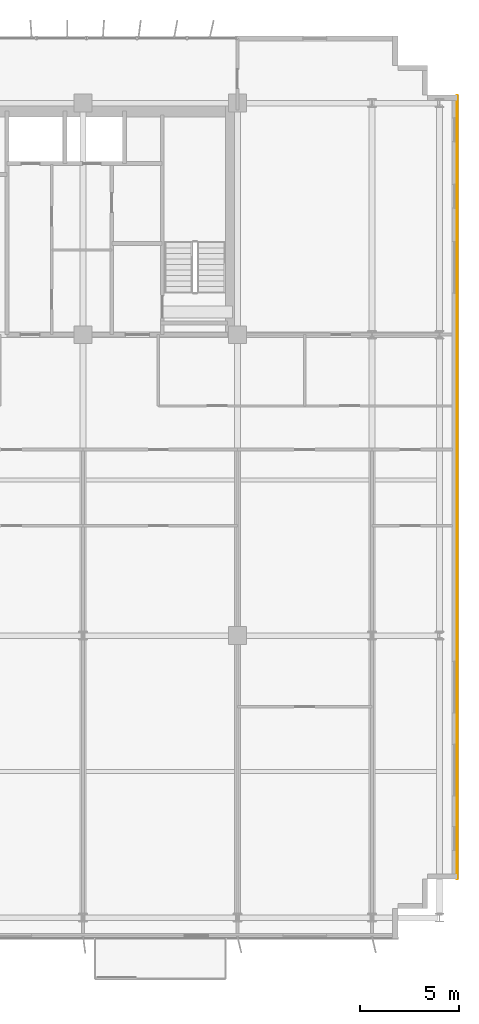
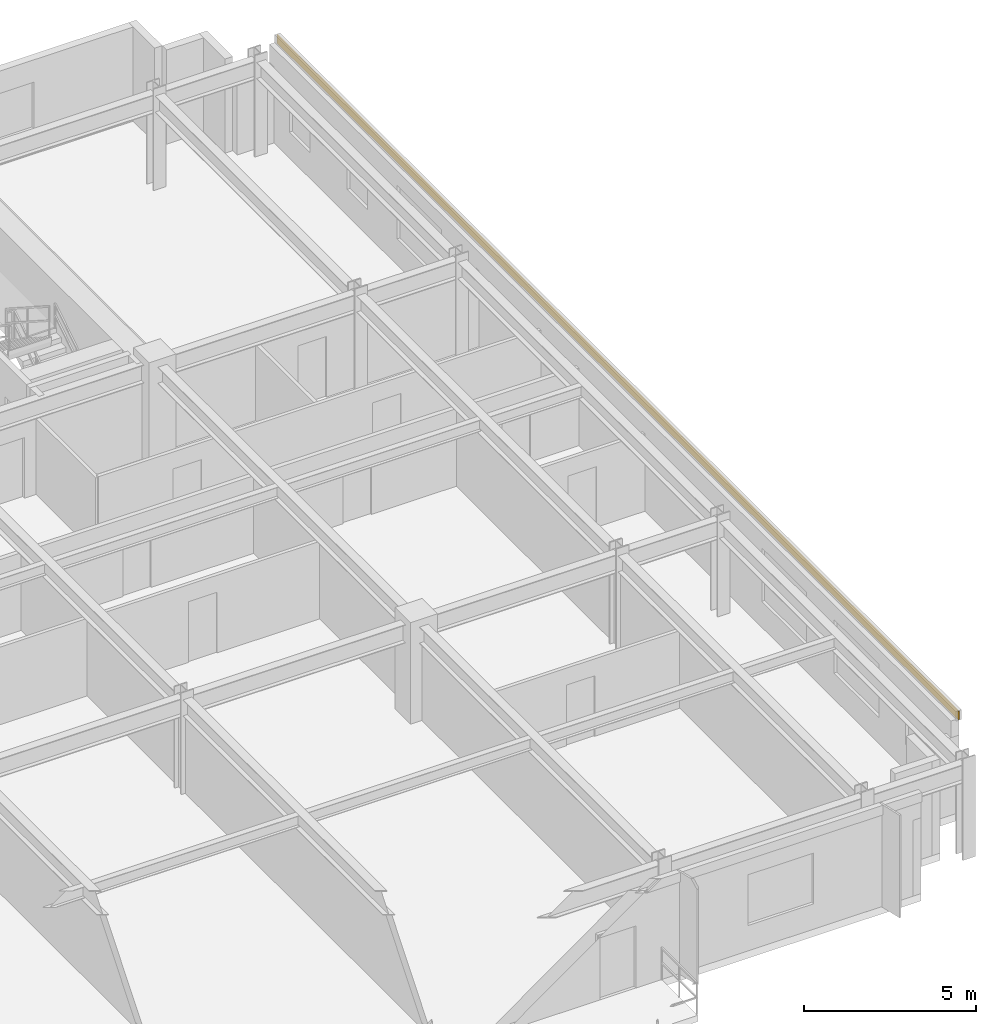
# One storey, part 21 of 21: 1 covering.
"""IFC4 building model written with IfcOpenShell, lengths in metres."""

import ifcopenshell
import ifcopenshell.guid

model = None  # the IFC model being written
_history = None  # IfcOwnerHistory: only IFC2X3 demands one
_inside = {}  # id of a spatial element -> (the spatial element, [elements in it])
_under = {}  # id of a project, library or spatial element -> (it, [spatial elements below it])
_declared = {}  # id of a project -> (the project, [libraries it declares])
_typed = {}  # id of a type object -> (the type object, [elements of that type])
_made_of = {}  # id of a material, layer set ... -> (it, [elements and type objects made of it])


def new_model(schema):
    """Start an empty IFC model of exactly this schema.

    Asked for "IFC4X3", IfcOpenShell would pick the latest addendum, in which some entities
    have other attributes; the version numbers below select the first issue.
    IFC2X3 requires an IfcOwnerHistory on every rooted entity: one is made here for all.
    """
    global model, _history
    if schema == "IFC4X3":
        model = ifcopenshell.file(schema_version=(4, 3, 0, 0))
    else:
        model = ifcopenshell.file(schema=schema)
    _inside.clear()
    _under.clear()
    _declared.clear()
    _typed.clear()
    _made_of.clear()
    _history = None
    if model.schema == "IFC2X3":
        org = make("IfcOrganization", Name="unknown")
        user = make(
            "IfcPersonAndOrganization",
            ThePerson=make("IfcPerson", FamilyName="unknown"),
            TheOrganization=org,
        )
        app = make(
            "IfcApplication",
            ApplicationDeveloper=org,
            Version="unknown",
            ApplicationFullName="unknown",
            ApplicationIdentifier="unknown",
        )
        _history = make(
            "IfcOwnerHistory",
            OwningUser=user,
            OwningApplication=app,
            ChangeAction="ADDED",
            CreationDate=0,
        )
    return model


def make(cls, **values):
    """One entity of the class cls with the attributes given. An attribute that is None is left unset."""
    return model.create_entity(
        cls, **{name: value for name, value in values.items() if value is not None}
    )


def rooted(cls, **values):
    """An entity with a GlobalId (a new one), such as an element, a storey or a relation."""
    return make(cls, GlobalId=ifcopenshell.guid.new(), OwnerHistory=_history, **values)


def si_unit(unit_type, name, prefix=None):
    """IfcSIUnit, for example si_unit("LENGTHUNIT", "METRE", prefix="MILLI")."""
    return make("IfcSIUnit", UnitType=unit_type, Prefix=prefix, Name=name)


def assignment(units):
    """IfcUnitAssignment: the units of a project."""
    return None if units is None else make("IfcUnitAssignment", Units=units)


def point(xyz):
    """IfcCartesianPoint."""
    return None if xyz is None else make("IfcCartesianPoint", Coordinates=xyz)


def direction(xyz):
    """IfcDirection."""
    return None if xyz is None else make("IfcDirection", DirectionRatios=xyz)


def frame(location, z_axis=None, x_axis=None):
    """IfcAxis2Placement3D, a coordinate frame: its origin and axes. An axis left out is left unset."""
    return make(
        "IfcAxis2Placement3D",
        Location=point(location),
        Axis=direction(z_axis),
        RefDirection=direction(x_axis),
    )


def frame_2d(location, x_axis=None):
    """IfcAxis2Placement2D, a coordinate frame in the plane: its origin and x axis."""
    return make(
        "IfcAxis2Placement2D", Location=point(location), RefDirection=direction(x_axis)
    )


def origin():
    """The frame at (0, 0, 0) with its axes left unset."""
    return frame((0.0, 0.0, 0.0))


def origin_2d():
    """The frame at (0, 0) in the plane with its x axis left unset."""
    return frame_2d((0.0, 0.0))


def place(relative_to, where):
    """IfcLocalPlacement: puts the frame where relative to a parent placement (None: the world)."""
    return make(
        "IfcLocalPlacement", PlacementRelTo=relative_to, RelativePlacement=where
    )


def context(
    kind, dimensions, precision=None, world=None, true_north=None, identifier=None
):
    """IfcGeometricRepresentationContext, for example the 3D "Model" context."""
    return make(
        "IfcGeometricRepresentationContext",
        ContextIdentifier=identifier,
        ContextType=kind,
        CoordinateSpaceDimension=dimensions,
        Precision=precision,
        WorldCoordinateSystem=world,
        TrueNorth=true_north,
    )


def subcontext(parent, identifier, kind, view, scale=None):
    """IfcGeometricRepresentationSubContext, for example "Body" below "Model"."""
    return make(
        "IfcGeometricRepresentationSubContext",
        ContextIdentifier=identifier,
        ContextType=kind,
        ParentContext=parent,
        TargetScale=scale,
        TargetView=view,
    )


def project(units=None, contexts=None):
    """IfcProject with its units and contexts."""
    return rooted(
        "IfcProject",
        Name="project",
        RepresentationContexts=contexts,
        UnitsInContext=assignment(units),
    )


def spatial(cls, under=None, at=None, **own):
    """A site, building, storey or space (cls), placed at a placement, below another one or the project."""
    s = rooted(cls, ObjectPlacement=at, **own)
    if under is not None:
        _under.setdefault(under.id(), (under, []))[1].append(s)
    return s


def profile(cls, at=None, kind="AREA", **sizes):
    """A parametric profile (cls). Its sizes go by their IFC names, for example OverallWidth=200.0."""
    return make(cls, ProfileType=kind, Position=at, **sizes)


def rectangle(**sizes):
    """IfcRectangleProfileDef."""
    return profile("IfcRectangleProfileDef", **sizes)


def extrude(swept, where, along, depth):
    """IfcExtrudedAreaSolid: the profile swept, set in the frame where, extruded along a direction by depth."""
    return make(
        "IfcExtrudedAreaSolid",
        SweptArea=swept,
        Position=where,
        ExtrudedDirection=direction(along),
        Depth=depth,
    )


def shape(context_of_items, identifier, shape_type, items):
    """IfcShapeRepresentation: the items that make up one representation, for example the "Body"."""
    return make(
        "IfcShapeRepresentation",
        ContextOfItems=context_of_items,
        RepresentationIdentifier=identifier,
        RepresentationType=shape_type,
        Items=items,
    )


def source(mapping_origin, context_of_items, identifier, shape_type, items):
    """IfcRepresentationMap: a shape defined once, which mapped items show again and again."""
    return make(
        "IfcRepresentationMap",
        MappingOrigin=mapping_origin,
        MappedRepresentation=shape(context_of_items, identifier, shape_type, items),
    )


def transform(
    local_origin,
    x_axis=None,
    y_axis=None,
    z_axis=None,
    scale=None,
    scale2=None,
    scale3=None,
    uniform=True,
):
    """IfcCartesianTransformationOperator3D, or its non-uniform kind. x_axis, y_axis, z_axis: its Axis1, 2, 3."""
    if uniform:
        return make(
            "IfcCartesianTransformationOperator3D",
            Axis1=direction(x_axis),
            Axis2=direction(y_axis),
            LocalOrigin=point(local_origin),
            Scale=scale,
            Axis3=direction(z_axis),
        )
    return make(
        "IfcCartesianTransformationOperator3DnonUniform",
        Axis1=direction(x_axis),
        Axis2=direction(y_axis),
        LocalOrigin=point(local_origin),
        Scale=scale,
        Axis3=direction(z_axis),
        Scale2=scale2,
        Scale3=scale3,
    )


def mapped(mapping_source, mapping_target):
    """IfcMappedItem: shows the shape of a source again, moved by a transform."""
    return make(
        "IfcMappedItem", MappingSource=mapping_source, MappingTarget=mapping_target
    )


def material(Name=None, Category=None):
    """IfcMaterial."""
    return make("IfcMaterial", Name=Name, Category=Category)


def layer(
    of_material, thickness, ventilated=None, Name=None, Category=None, Priority=None
):
    """IfcMaterialLayer: one layer of a wall or slab, of a material (None: an air gap)."""
    return make(
        "IfcMaterialLayer",
        Material=of_material,
        LayerThickness=thickness,
        IsVentilated=ventilated,
        Name=Name,
        Category=Category,
        Priority=Priority,
    )


def layer_set(layers, Name=None):
    """IfcMaterialLayerSet."""
    return make("IfcMaterialLayerSet", MaterialLayers=layers, LayerSetName=Name)


def made_of(thing, what):
    """Note that an element or type object is made of a material, layer set ...; save() writes the relation."""
    if what is not None:
        _made_of.setdefault(what.id(), (what, []))[1].append(thing)
    return thing


def type_object(cls, material=None, **own):
    """A type object (cls), such as IfcWallType, which elements share."""
    return made_of(rooted(cls, **own), material)


def element(
    cls,
    number,
    at=None,
    inside=None,
    cuts=None,
    type_object=None,
    material=None,
    context=None,
    identifier="Body",
    shape_type=None,
    held_by="IfcProductDefinitionShape",
    body=None,
    shapes=None,
    **own,
):
    """One element of the class cls, such as IfcWall. Its Tag is "e" and its number.

    at: its placement. inside: the storey or other place that contains it. cuts: it is an
    opening in that element (IfcRelVoidsElement). A single representation is given by context,
    identifier, shape_type and body (its items); several are given by shapes. held_by: the class
    of the entity that holds the representations. save() writes the other relations.
    """
    e = rooted(cls, Tag="e%d" % number, ObjectPlacement=at, **own)
    if body is not None:
        shapes = [shape(context, identifier, shape_type, body)]
    if shapes is not None:
        e.Representation = make(held_by, Representations=shapes)
    if inside is not None:
        _inside.setdefault(inside.id(), (inside, []))[1].append(e)
    if cuts is not None:
        rooted(
            "IfcRelVoidsElement", RelatingBuildingElement=cuts, RelatedOpeningElement=e
        )
    if type_object is not None:
        _typed.setdefault(type_object.id(), (type_object, []))[1].append(e)
    return made_of(e, material)


def aggregate(whole, parts):
    """IfcRelAggregates: a whole, such as a stair, and the parts it consists of."""
    return rooted("IfcRelAggregates", RelatingObject=whole, RelatedObjects=parts)


def save(model, path):
    """Write the relations noted so far, then the file.

    IfcRelAggregates (storeys below a building ...), IfcRelContainedInSpatialStructure (elements
    in a storey), IfcRelDefinesByType, IfcRelAssociatesMaterial and IfcRelDeclares: one each for
    every whole, place, type object, material and project.
    """
    for whole, parts in _under.values():
        aggregate(whole, parts)
    for where, things in _inside.values():
        rooted(
            "IfcRelContainedInSpatialStructure",
            RelatedElements=things,
            RelatingStructure=where,
        )
    for kind, things in _typed.values():
        rooted("IfcRelDefinesByType", RelatedObjects=things, RelatingType=kind)
    for what, things in _made_of.values():
        rooted("IfcRelAssociatesMaterial", RelatedObjects=things, RelatingMaterial=what)
    for by, libraries in _declared.values():
        rooted("IfcRelDeclares", RelatingContext=by, RelatedDefinitions=libraries)
    model.write(path)


model = new_model("IFC4")

# Units and contexts
model_context = context("Model", 3, precision=1e-05, world=origin(), true_north=direction((0.0, 1.0)))
body_context = subcontext(model_context, "Body", "Model", "MODEL_VIEW")
ifc_project = project(units=[si_unit("LENGTHUNIT", "METRE"), si_unit("AREAUNIT", "SQUARE_METRE"), si_unit("VOLUMEUNIT", "CUBIC_METRE"), si_unit("PLANEANGLEUNIT", "RADIAN"), si_unit("MASSUNIT", "GRAM", prefix="KILO")], contexts=[model_context])

# Site, building, storey
site_placement = place(None, origin())
site = spatial("IfcSite", under=ifc_project, at=site_placement, CompositionType="ELEMENT")
building_placement = place(site_placement, origin())
building = spatial("IfcBuilding", under=site, at=building_placement, Name="Trelvane Seafront Commons", CompositionType="ELEMENT")
storey_placement = place(building_placement, frame((0.0, 0.0, 41.5)))
storey = spatial("IfcBuildingStorey", under=building, at=storey_placement, Name="L10", CompositionType="ELEMENT", Elevation=41.5)

# Covering
ifc_material = material(Name="Anodised pale-silver aluminium", Category="aluminium")
ifc_layer = layer(ifc_material, 0.034912109375, Name="ARCH-COV-CLAD35")
ifc_layer_set = layer_set([ifc_layer], Name="Anodised pale-silver aluminium")
covering_type = type_object("IfcCoveringType", Name="ARCH-COV-CLAD35", PredefinedType="CLADDING", material=ifc_layer_set)
shared_shape = source(origin(), body_context, "Body", "SweptSolid", [
    extrude(rectangle(XDim=39.60009765625, YDim=0.034912109375, at=origin_2d()), origin(), (0.0, 0.0, 1.0), 0.300048828125),
])
covering_placement = place(storey_placement, frame((69.89990234375, 25.699951171875, 3.2998046875), z_axis=(0.0, 0.0, 1.0), x_axis=(0.0, -1.0, 0.0)))
element("IfcCovering", 1, at=covering_placement, inside=storey, type_object=covering_type, Name="CLD-L10-00055", PredefinedType="CLADDING", context=body_context, shape_type="MappedRepresentation", body=[
    mapped(shared_shape, transform((0.0, 0.0, 0.0), x_axis=(1.0, 0.0, 0.0), y_axis=(0.0, 1.0, 0.0), z_axis=(0.0, 0.0, 1.0), scale=1.0)),
])

save(model, "model.ifc")
